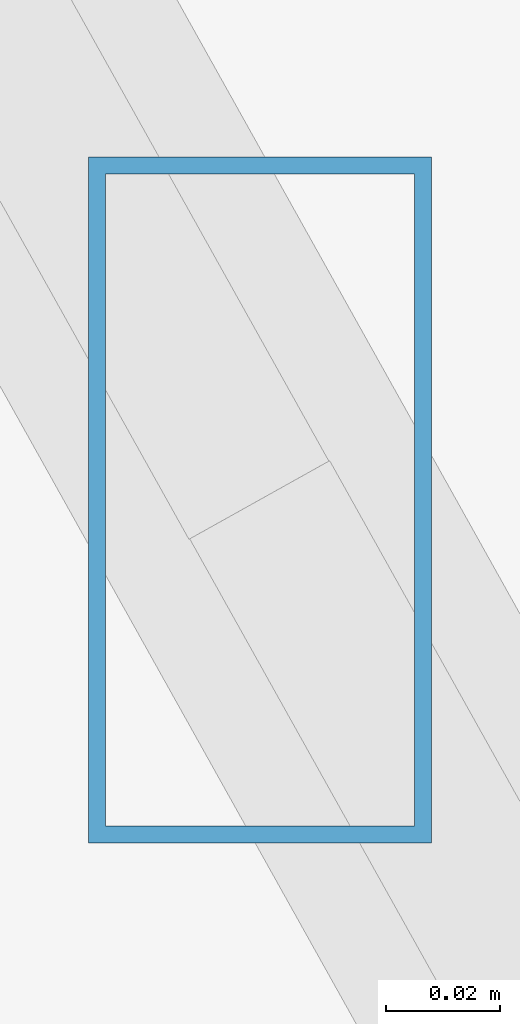
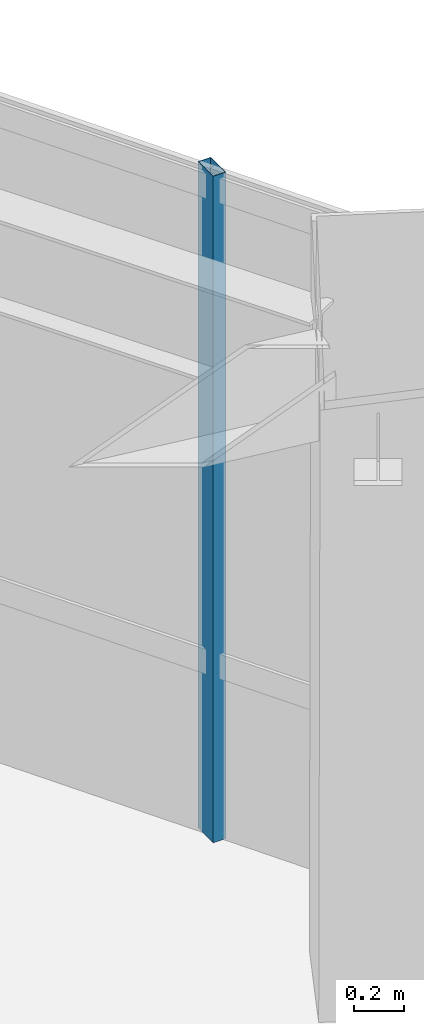
# One storey, part 25 of 44: 1 member, 1 element without a shape of its own.
"""IFC4 building model written with IfcOpenShell, lengths in metres."""

from ifc_helpers import new_model, si_unit, direction, frame, origin, origin_2d, place, context, subcontext, project, spatial, hollow_rectangle, extrude, source, transform, mapped, material, material_profile, profile_set, type_object, type_shapes, element, aggregate, save


model = new_model("IFC4")

# Units and contexts
model_context = context("Model", 3, precision=1e-05, world=origin(), true_north=direction((0.0, 1.0)))
body_context = subcontext(model_context, "Body", "Model", "MODEL_VIEW")
ifc_project = project(units=[si_unit("LENGTHUNIT", "METRE"), si_unit("AREAUNIT", "SQUARE_METRE"), si_unit("VOLUMEUNIT", "CUBIC_METRE"), si_unit("PLANEANGLEUNIT", "RADIAN"), si_unit("MASSUNIT", "GRAM", prefix="KILO")], contexts=[model_context])

# Site, building, storey
site_placement = place(None, origin())
site = spatial("IfcSite", under=ifc_project, at=site_placement, CompositionType="ELEMENT")
building_placement = place(site_placement, origin())
building = spatial("IfcBuilding", under=site, at=building_placement, Name="Caelisora Broadcast Tower", CompositionType="ELEMENT")
storey_placement = place(building_placement, frame((0.0, 0.0, 280.949951171875)))
storey = spatial("IfcBuildingStorey", under=building, at=storey_placement, Name="L74", CompositionType="ELEMENT", Elevation=280.949951171875)

# Curtain wall, member
ifc_material_1 = material(Name="Unitised Aluminium and Low-E Glass Curtain Wall", Category="glass")
curtain_wall_type = type_object("IfcCurtainWallType", Name="CW-Z5", PredefinedType="NOTDEFINED", material=ifc_material_1)
curtain_wall_placement = place(storey_placement, origin())
curtain_wall = element("IfcCurtainWall", 1, at=curtain_wall_placement, inside=storey, type_object=curtain_wall_type, Name="L74 curtain wall CW-Z5", PredefinedType="NOTDEFINED")
ifc_material_2 = material(Name="Aluminium 6063-T6 Anodised Terracotta Bronze", Category="aluminium")
ifc_material_profile = material_profile(ifc_material_2, hollow_rectangle(XDim=0.06005859375, YDim=0.1201171875, WallThickness=0.0029296875, at=origin_2d()), Name="Aluminium 6063-T6 Anodised Terracotta Bronze")
ifc_profile_set = profile_set([ifc_material_profile], Name="Aluminium 6063-T6 Anodised Terracotta Bronze")
member_type = type_object("IfcMemberType", Name="CWM-04", PredefinedType="MULLION", material=ifc_profile_set)
shared_shape = source(origin(), body_context, "Body", "SweptSolid", [
    extrude(hollow_rectangle(XDim=0.06005859375, YDim=0.1201171875, WallThickness=0.0029296875, at=origin_2d()), origin(), (0.0, 0.0, 1.0), 3.25),
])
type_shapes(member_type, [shared_shape])
member_placement = place(storey_placement, frame((59.259765625, 16.700927734375, 0.0), z_axis=(0.0, 0.0, 1.0), x_axis=(1.0, 0.0, 0.0)))
member = element("IfcMember", 2, at=member_placement, type_object=member_type, Name="L74-CW-B03 mullion #2", PredefinedType="MULLION", context=body_context, shape_type="MappedRepresentation", body=[
    mapped(shared_shape, transform((0.0, 0.0, 0.0), scale=1.0)),
])
aggregate(curtain_wall, [member])

save(model, "model.ifc")
